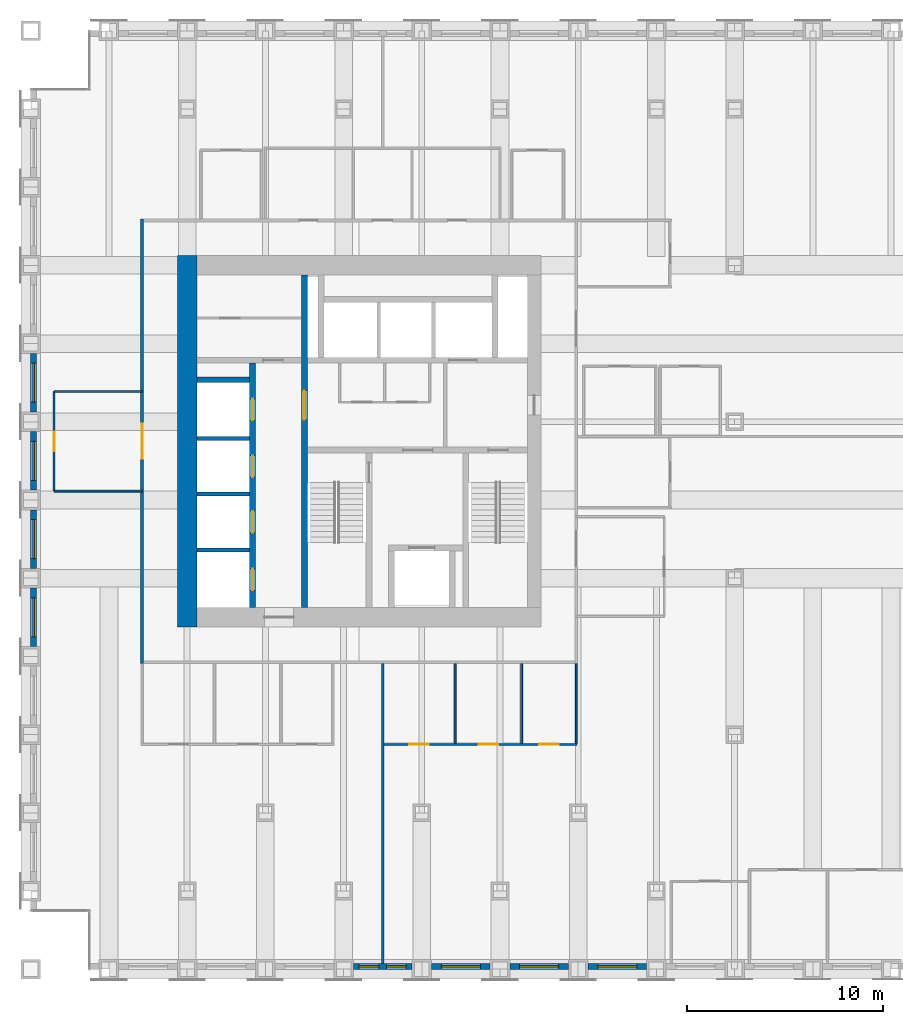
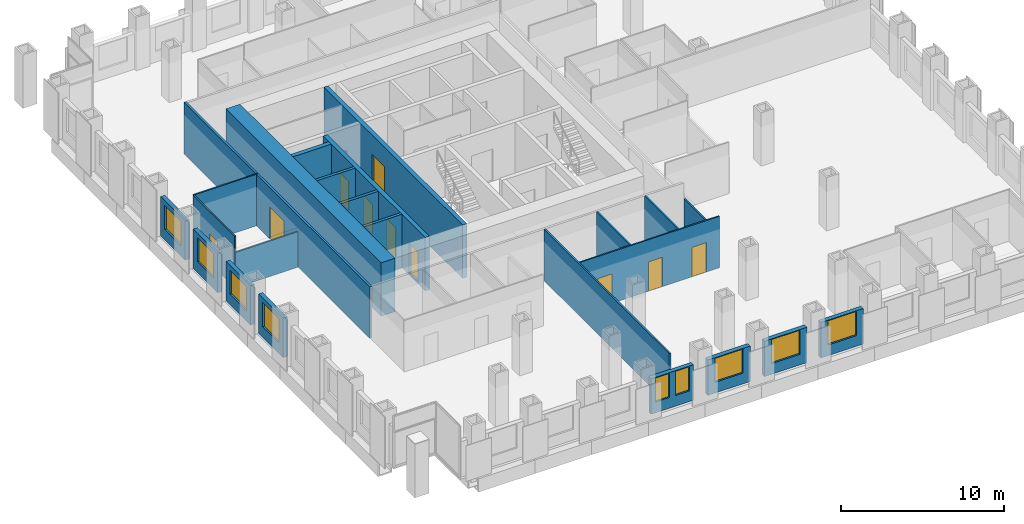
# One storey, part 11 of 17: 24 walls, 10 doors, 9 windows, 19 openings.
"""IFC4 building model written with IfcOpenShell, lengths in metres."""

from ifc_helpers import new_model, si_unit, direction, frame, frame_2d, origin, place, context, subcontext, project, spatial, rectangle, extrude, material, layer, layer_set, type_object, element, fill, save


model = new_model("IFC4")

# Units and contexts
model_context = context("Model", 3, precision=1e-05, world=origin(), true_north=direction((0.0, 1.0)))
body_context = subcontext(model_context, "Body", "Model", "MODEL_VIEW")
ifc_project = project(units=[si_unit("LENGTHUNIT", "METRE"), si_unit("AREAUNIT", "SQUARE_METRE"), si_unit("VOLUMEUNIT", "CUBIC_METRE"), si_unit("PLANEANGLEUNIT", "RADIAN"), si_unit("MASSUNIT", "GRAM", prefix="KILO")], contexts=[model_context])

# Site, building, storey
site_placement = place(None, origin())
site = spatial("IfcSite", under=ifc_project, at=site_placement, CompositionType="ELEMENT")
building_placement = place(site_placement, origin())
building = spatial("IfcBuilding", under=site, at=building_placement, Name="Rimbunsela Tower", CompositionType="ELEMENT")
storey_placement = place(building_placement, frame((0.0, 0.0, 101.39990234375)))
storey = spatial("IfcBuildingStorey", under=building, at=storey_placement, Name="L24", CompositionType="ELEMENT", Elevation=101.39990234375)

# Wall, opening, door
ifc_material_1 = material(Name="Concrete fc' 80 MPa", Category="concrete")
ifc_layer_1 = layer(ifc_material_1, 0.300048828125)
ifc_layer_set_1 = layer_set([ifc_layer_1], Name="Core internal wall 300")
wall_type_1 = type_object("IfcWallType", Name="Core internal wall 300", PredefinedType="SHEAR", material=ifc_layer_set_1)
wall_1_placement = place(storey_placement, frame((24.0, 18.5, -0.14990234375), z_axis=(0.0, 0.0, 1.0), x_axis=(0.0, 1.0, 0.0)))
wall_1 = element("IfcWall", 1, at=wall_1_placement, inside=storey, type_object=wall_type_1, Name="Core wall at stair A", PredefinedType="SHEAR", context=body_context, shape_type="SweptSolid", body=[
    extrude(rectangle(XDim=17.0, YDim=0.300048828125, at=frame_2d((8.5, 0.0))), origin(), (0.0, 0.0, 1.0), 4.0),
])
opening_1_placement = place(wall_1_placement, frame((9.60009765625, 0.0, 0.14990234375)))
opening_1 = element("IfcOpeningElement", 2, at=opening_1_placement, cuts=wall_1, Name="Opening D03", PredefinedType="OPENING", context=body_context, shape_type="SweptSolid", body=[
    extrude(rectangle(XDim=1.5, YDim=2.39990234375, at=frame_2d((0.75, 1.199951171875))), frame((0.0, 0.159912109375, 0.0), z_axis=(0.0, -1.0, 0.0), x_axis=(1.0, 0.0, 0.0)), (0.0, 0.0, 1.0), 0.320068359375),
])
ifc_material_2 = material(Name="Steel door, fire rated", Category="steel")
door_type_1 = type_object("IfcDoorType", Name="Core lobby door 1500", OperationType="DOUBLE_DOOR_DOUBLE_SWING", PredefinedType="DOOR", material=ifc_material_2)
door_1_placement = place(opening_1_placement, origin())
door_1 = element("IfcDoor", 3, at=door_1_placement, inside=storey, type_object=door_type_1, Name="West lobby door", OperationType="DOUBLE_DOOR_DOUBLE_SWING", OverallHeight=2.39990234375, OverallWidth=1.5, PredefinedType="DOOR", context=body_context, shape_type="SweptSolid", body=[
    extrude(rectangle(XDim=1.5, YDim=2.39990234375, at=frame_2d((0.75, 1.199951171875))), frame((0.0, 0.02490234375, 0.0), z_axis=(0.0, -1.0, 0.0), x_axis=(1.0, 0.0, 0.0)), (0.0, 0.0, 1.0), 0.050048828125),
])
fill(opening_1, door_1)

# Wall, openings, doors
wall_2_placement = place(storey_placement, frame((21.35009765625, 18.5, -0.14990234375), z_axis=(0.0, 0.0, 1.0), x_axis=(0.0, 1.0, 0.0)))
wall_2 = element("IfcWall", 4, at=wall_2_placement, inside=storey, type_object=wall_type_1, Name="Lift shaft front west", PredefinedType="SHEAR", context=body_context, shape_type="SweptSolid", body=[
    extrude(rectangle(XDim=12.5, YDim=0.300048828125, at=frame_2d((6.25, 0.0))), origin(), (0.0, 0.0, 1.0), 4.0),
])
opening_2_placement = place(wall_2_placement, frame((0.875, 0.0, 0.14990234375)))
opening_2 = element("IfcOpeningElement", 5, at=opening_2_placement, cuts=wall_2, Name="Opening LD1", PredefinedType="OPENING", context=body_context, shape_type="SweptSolid", body=[
    extrude(rectangle(XDim=1.10009765625, YDim=2.199951171875, at=frame_2d((0.550048828125, 1.10009765625))), frame((0.0, 0.159912109375, 0.0), z_axis=(0.0, -1.0, 0.0), x_axis=(1.0, 0.0, 0.0)), (0.0, 0.0, 1.0), 0.320068359375),
])
opening_3_placement = place(wall_2_placement, frame((3.824951171875, 0.0, 0.14990234375)))
opening_3 = element("IfcOpeningElement", 6, at=opening_3_placement, cuts=wall_2, Name="Opening LD1", PredefinedType="OPENING", context=body_context, shape_type="SweptSolid", body=[
    extrude(rectangle(XDim=1.10009765625, YDim=2.199951171875, at=frame_2d((0.550048828125, 1.10009765625))), frame((0.0, 0.159912109375, 0.0), z_axis=(0.0, -1.0, 0.0), x_axis=(1.0, 0.0, 0.0)), (0.0, 0.0, 1.0), 0.320068359375),
])
opening_4_placement = place(wall_2_placement, frame((6.675048828125, 0.0, 0.14990234375)))
opening_4 = element("IfcOpeningElement", 7, at=opening_4_placement, cuts=wall_2, Name="Opening LD1", PredefinedType="OPENING", context=body_context, shape_type="SweptSolid", body=[
    extrude(rectangle(XDim=1.10009765625, YDim=2.199951171875, at=frame_2d((0.550048828125, 1.10009765625))), frame((0.0, 0.159912109375, 0.0), z_axis=(0.0, -1.0, 0.0), x_axis=(1.0, 0.0, 0.0)), (0.0, 0.0, 1.0), 0.320068359375),
])
opening_5_placement = place(wall_2_placement, frame((9.574951171875, 0.0, 0.14990234375)))
opening_5 = element("IfcOpeningElement", 8, at=opening_5_placement, cuts=wall_2, Name="Opening LD1", PredefinedType="OPENING", context=body_context, shape_type="SweptSolid", body=[
    extrude(rectangle(XDim=1.10009765625, YDim=2.199951171875, at=frame_2d((0.550048828125, 1.10009765625))), frame((0.0, 0.159912109375, 0.0), z_axis=(0.0, -1.0, 0.0), x_axis=(1.0, 0.0, 0.0)), (0.0, 0.0, 1.0), 0.320068359375),
])
ifc_material_3 = material(Name="Steel door, fire rated", Category="steel")
door_type_2 = type_object("IfcDoorType", Name="Lift landing door 1100", OperationType="DOUBLE_DOOR_SLIDING", PredefinedType="DOOR", material=ifc_material_3)
door_2_placement = place(opening_2_placement, origin())
door_2 = element("IfcDoor", 9, at=door_2_placement, inside=storey, type_object=door_type_2, Name="Lift landing door ML1", OperationType="DOUBLE_DOOR_SLIDING", OverallHeight=2.199951171875, OverallWidth=1.10009765625, PredefinedType="DOOR", context=body_context, shape_type="SweptSolid", body=[
    extrude(rectangle(XDim=1.10009765625, YDim=2.199951171875, at=frame_2d((0.550048828125, 1.10009765625))), frame((0.0, 0.02490234375, 0.0), z_axis=(0.0, -1.0, 0.0), x_axis=(1.0, 0.0, 0.0)), (0.0, 0.0, 1.0), 0.050048828125),
])
fill(opening_2, door_2)
door_3_placement = place(opening_3_placement, origin())
door_3 = element("IfcDoor", 10, at=door_3_placement, inside=storey, type_object=door_type_2, Name="Lift landing door ML2", OperationType="DOUBLE_DOOR_SLIDING", OverallHeight=2.199951171875, OverallWidth=1.10009765625, PredefinedType="DOOR", context=body_context, shape_type="SweptSolid", body=[
    extrude(rectangle(XDim=1.10009765625, YDim=2.199951171875, at=frame_2d((0.550048828125, 1.10009765625))), frame((0.0, 0.02490234375, 0.0), z_axis=(0.0, -1.0, 0.0), x_axis=(1.0, 0.0, 0.0)), (0.0, 0.0, 1.0), 0.050048828125),
])
fill(opening_3, door_3)
door_4_placement = place(opening_4_placement, origin())
door_4 = element("IfcDoor", 11, at=door_4_placement, inside=storey, type_object=door_type_2, Name="Lift landing door ML3", OperationType="DOUBLE_DOOR_SLIDING", OverallHeight=2.199951171875, OverallWidth=1.10009765625, PredefinedType="DOOR", context=body_context, shape_type="SweptSolid", body=[
    extrude(rectangle(XDim=1.10009765625, YDim=2.199951171875, at=frame_2d((0.550048828125, 1.10009765625))), frame((0.0, 0.02490234375, 0.0), z_axis=(0.0, -1.0, 0.0), x_axis=(1.0, 0.0, 0.0)), (0.0, 0.0, 1.0), 0.050048828125),
])
fill(opening_4, door_4)
door_5_placement = place(opening_5_placement, origin())
door_5 = element("IfcDoor", 12, at=door_5_placement, inside=storey, type_object=door_type_2, Name="Lift landing door ML4", OperationType="DOUBLE_DOOR_SLIDING", OverallHeight=2.199951171875, OverallWidth=1.10009765625, PredefinedType="DOOR", context=body_context, shape_type="SweptSolid", body=[
    extrude(rectangle(XDim=1.10009765625, YDim=2.199951171875, at=frame_2d((0.550048828125, 1.10009765625))), frame((0.0, 0.02490234375, 0.0), z_axis=(0.0, -1.0, 0.0), x_axis=(1.0, 0.0, 0.0)), (0.0, 0.0, 1.0), 0.050048828125),
])
fill(opening_5, door_5)

# Walls
wall_3_placement = place(storey_placement, frame((18.5, 30.14990234375, -0.14990234375), z_axis=(0.0, 0.0, 1.0), x_axis=(1.0, 0.0, 0.0)))
element("IfcWall", 13, at=wall_3_placement, inside=storey, type_object=wall_type_1, Name="Lift shaft rear west", PredefinedType="SHEAR", context=body_context, shape_type="SweptSolid", body=[
    extrude(rectangle(XDim=2.699951171875, YDim=0.300048828125, at=frame_2d((1.35009765625, 0.0))), origin(), (0.0, 0.0, 1.0), 4.0),
])
ifc_material_4 = material(Name="Concrete fc' 80 MPa", Category="concrete")
ifc_layer_2 = layer(ifc_material_4, 1.0)
ifc_layer_set_2 = layer_set([ifc_layer_2], Name="Core wall 1000")
wall_type_2 = type_object("IfcWallType", Name="Core wall 1000", PredefinedType="SHEAR", material=ifc_layer_set_2)
wall_4_placement = place(storey_placement, frame((18.0, 17.5, -0.14990234375), z_axis=(0.0, 0.0, 1.0), x_axis=(0.0, 1.0, 0.0)))
element("IfcWall", 14, at=wall_4_placement, inside=storey, type_object=wall_type_2, Name="Core wall west", PredefinedType="SHEAR", context=body_context, shape_type="SweptSolid", body=[
    extrude(rectangle(XDim=19.0, YDim=1.0, at=frame_2d((9.5, 0.0))), origin(), (0.0, 0.0, 1.0), 4.0),
])
ifc_material_5 = material(Name="Concrete blockwork", Category="masonry")
ifc_layer_3 = layer(ifc_material_5, 0.199951171875)
ifc_layer_set_3 = layer_set([ifc_layer_3], Name="Lift shaft wall 200")
wall_type_3 = type_object("IfcWallType", Name="Lift shaft wall 200", PredefinedType="SOLIDWALL", material=ifc_layer_set_3)
for number, where, z_axis, x_axis, name in (
    (15, (18.5, 21.449951171875, -0.14990234375), (0.0, 0.0, 1.0), (1.0, 0.0, 0.0), "Lift shaft separation"),
    (16, (18.5, 24.300048828125, -0.14990234375), (0.0, 0.0, 1.0), (1.0, 0.0, 0.0), "Lift shaft separation"),
    (17, (18.5, 27.14990234375, -0.14990234375), (0.0, 0.0, 1.0), (1.0, 0.0, 0.0), "Lift shaft separation"),
):
    element("IfcWall", number, at=place(storey_placement, frame(where, z_axis=z_axis, x_axis=x_axis)), inside=storey, type_object=wall_type_3, Name=name, PredefinedType="SOLIDWALL", context=body_context, shape_type="SweptSolid", body=[
        extrude(rectangle(XDim=2.699951171875, YDim=0.199951171875, at=frame_2d((1.35009765625, 0.0))), origin(), (0.0, 0.0, 1.0), 4.0),
    ])

# Wall, openings, doors
ifc_material_6 = material(Name="Gypsum board on steel studs", Category="steel")
ifc_layer_4 = layer(ifc_material_6, 0.10009765625)
ifc_layer_set_4 = layer_set([ifc_layer_4], Name="Office partition 100")
wall_type_4 = type_object("IfcWallType", Name="Office partition 100", PredefinedType="PARTITIONING", material=ifc_layer_set_4)
wall_5_placement = place(storey_placement, frame((28.06103515625, 11.5, 0.0), z_axis=(0.0, 0.0, 1.0), x_axis=(1.0, 0.0, 0.0)))
wall_5 = element("IfcWall", 18, at=wall_5_placement, inside=storey, type_object=wall_type_4, Name="Office partition", PredefinedType="PARTITIONING", context=body_context, shape_type="SweptSolid", body=[
    extrude(rectangle(XDim=9.888916015625, YDim=0.10009765625, at=frame_2d((4.9443359375, 0.0))), origin(), (0.0, 0.0, 1.0), 3.85009765625),
])
opening_6_placement = place(wall_5_placement, frame((1.2900390625, 0.0, 0.0)))
opening_6 = element("IfcOpeningElement", 19, at=opening_6_placement, cuts=wall_5, Name="Opening D17", PredefinedType="OPENING", context=body_context, shape_type="SweptSolid", body=[
    extrude(rectangle(XDim=1.0, YDim=2.199951171875, at=frame_2d((0.5, 1.10009765625))), frame((0.0, 0.06005859375, 0.0), z_axis=(0.0, -1.0, 0.0), x_axis=(1.0, 0.0, 0.0)), (0.0, 0.0, 1.0), 0.1201171875),
])
opening_7_placement = place(wall_5_placement, frame((4.840087890625, 0.0, 0.0)))
opening_7 = element("IfcOpeningElement", 20, at=opening_7_placement, cuts=wall_5, Name="Opening D16", PredefinedType="OPENING", context=body_context, shape_type="SweptSolid", body=[
    extrude(rectangle(XDim=1.0, YDim=2.199951171875, at=frame_2d((0.5, 1.10009765625))), frame((0.0, 0.06005859375, 0.0), z_axis=(0.0, -1.0, 0.0), x_axis=(1.0, 0.0, 0.0)), (0.0, 0.0, 1.0), 0.1201171875),
])
opening_8_placement = place(wall_5_placement, frame((7.939453125, 0.0, 0.0)))
opening_8 = element("IfcOpeningElement", 21, at=opening_8_placement, cuts=wall_5, Name="Opening D16", PredefinedType="OPENING", context=body_context, shape_type="SweptSolid", body=[
    extrude(rectangle(XDim=1.0, YDim=2.199951171875, at=frame_2d((0.5, 1.10009765625))), frame((0.0, 0.06005859375, 0.0), z_axis=(0.0, -1.0, 0.0), x_axis=(1.0, 0.0, 0.0)), (0.0, 0.0, 1.0), 0.1201171875),
])
ifc_material_7 = material(Name="Glazed aluminium door", Category="aluminium")
door_type_3 = type_object("IfcDoorType", Name="Meeting room door 1000 glazed", OperationType="SINGLE_SWING_RIGHT", PredefinedType="DOOR", material=ifc_material_7)
door_6_placement = place(opening_6_placement, origin())
door_6 = element("IfcDoor", 22, at=door_6_placement, inside=storey, type_object=door_type_3, Name="Meeting room door", OperationType="SINGLE_SWING_RIGHT", OverallHeight=2.199951171875, OverallWidth=1.0, PredefinedType="DOOR", context=body_context, shape_type="SweptSolid", body=[
    extrude(rectangle(XDim=1.0, YDim=2.199951171875, at=frame_2d((0.5, 1.10009765625))), frame((0.0, 0.02490234375, 0.0), z_axis=(0.0, -1.0, 0.0), x_axis=(1.0, 0.0, 0.0)), (0.0, 0.0, 1.0), 0.050048828125),
])
fill(opening_6, door_6)
ifc_material_8 = material(Name="Timber door", Category="wood")
door_type_4 = type_object("IfcDoorType", Name="Office door 1000", OperationType="SINGLE_SWING_LEFT", PredefinedType="DOOR", material=ifc_material_8)
door_7_placement = place(opening_7_placement, origin())
door_7 = element("IfcDoor", 23, at=door_7_placement, inside=storey, type_object=door_type_4, Name="Office door", OperationType="SINGLE_SWING_LEFT", OverallHeight=2.199951171875, OverallWidth=1.0, PredefinedType="DOOR", context=body_context, shape_type="SweptSolid", body=[
    extrude(rectangle(XDim=1.0, YDim=2.199951171875, at=frame_2d((0.5, 1.10009765625))), frame((0.0, 0.02490234375, 0.0), z_axis=(0.0, -1.0, 0.0), x_axis=(1.0, 0.0, 0.0)), (0.0, 0.0, 1.0), 0.050048828125),
])
fill(opening_7, door_7)
door_8_placement = place(opening_8_placement, origin())
door_8 = element("IfcDoor", 24, at=door_8_placement, inside=storey, type_object=door_type_4, Name="Office door", OperationType="SINGLE_SWING_LEFT", OverallHeight=2.199951171875, OverallWidth=1.0, PredefinedType="DOOR", context=body_context, shape_type="SweptSolid", body=[
    extrude(rectangle(XDim=1.0, YDim=2.199951171875, at=frame_2d((0.5, 1.10009765625))), frame((0.0, 0.02490234375, 0.0), z_axis=(0.0, -1.0, 0.0), x_axis=(1.0, 0.0, 0.0)), (0.0, 0.0, 1.0), 0.050048828125),
])
fill(opening_8, door_8)

# Walls
for number, where, z_axis, x_axis, name in (
    (25, (31.700927734375, 11.550048828125, 0.0), (0.0, 0.0, 1.0), (0.0, 1.0, 0.0), "Office partition"),
    (26, (35.10107421875, 11.550048828125, 0.0), (0.0, 0.0, 1.0), (0.0, 1.0, 0.0), "Office partition"),
):
    element("IfcWall", number, at=place(storey_placement, frame(where, z_axis=z_axis, x_axis=x_axis)), inside=storey, type_object=wall_type_4, Name=name, PredefinedType="PARTITIONING", context=body_context, shape_type="SweptSolid", body=[
        extrude(rectangle(XDim=4.074951171875, YDim=0.10009765625, at=frame_2d((2.03759765625, 0.0))), origin(), (0.0, 0.0, 1.0), 3.85009765625),
    ])
wall_6_placement = place(storey_placement, frame((37.89990234375, 11.550048828125, 0.0), z_axis=(0.0, 0.0, 1.0), x_axis=(0.0, 1.0, 0.0)))
element("IfcWall", 27, at=wall_6_placement, inside=storey, type_object=wall_type_4, Name="Office partition", PredefinedType="PARTITIONING", context=body_context, shape_type="SweptSolid", body=[
    extrude(rectangle(XDim=4.074951171875, YDim=0.10009765625, at=frame_2d((2.03759765625, 0.0))), origin(), (0.0, 0.0, 1.0), 2.650146484375),
])
wall_7_placement = place(storey_placement, frame((15.699951171875, 29.550048828125, 0.0), z_axis=(0.0, 0.0, 1.0), x_axis=(-1.0, 0.0, 0.0)))
element("IfcWall", 28, at=wall_7_placement, inside=storey, type_object=wall_type_4, Name="Office partition", PredefinedType="PARTITIONING", context=body_context, shape_type="SweptSolid", body=[
    extrude(rectangle(XDim=4.5, YDim=0.10009765625, at=frame_2d((2.25, 0.0))), origin(), (0.0, 0.0, 1.0), 3.85009765625),
])

# Wall, opening, door
wall_8_placement = place(storey_placement, frame((11.199951171875, 29.550048828125, 0.0), z_axis=(0.0, 0.0, 1.0), x_axis=(0.0, -1.0, 0.0)))
wall_8 = element("IfcWall", 29, at=wall_8_placement, inside=storey, type_object=wall_type_4, Name="Office partition", PredefinedType="PARTITIONING", context=body_context, shape_type="SweptSolid", body=[
    extrude(rectangle(XDim=5.10009765625, YDim=0.10009765625, at=frame_2d((2.550048828125, 0.0))), origin(), (0.0, 0.0, 1.0), 3.85009765625),
])
opening_9_placement = place(wall_8_placement, frame((2.050048828125, 0.0, 0.0)))
opening_9 = element("IfcOpeningElement", 30, at=opening_9_placement, cuts=wall_8, Name="Opening D17", PredefinedType="OPENING", context=body_context, shape_type="SweptSolid", body=[
    extrude(rectangle(XDim=1.0, YDim=2.199951171875, at=frame_2d((0.5, 1.10009765625))), frame((0.0, 0.06005859375, 0.0), z_axis=(0.0, -1.0, 0.0), x_axis=(1.0, 0.0, 0.0)), (0.0, 0.0, 1.0), 0.1201171875),
])
door_9_placement = place(opening_9_placement, origin())
door_9 = element("IfcDoor", 31, at=door_9_placement, inside=storey, type_object=door_type_3, Name="Reception door", OperationType="SINGLE_SWING_RIGHT", OverallHeight=2.199951171875, OverallWidth=1.0, PredefinedType="DOOR", context=body_context, shape_type="SweptSolid", body=[
    extrude(rectangle(XDim=1.0, YDim=2.199951171875, at=frame_2d((0.5, 1.10009765625))), frame((0.0, 0.02490234375, 0.0), z_axis=(0.0, -1.0, 0.0), x_axis=(1.0, 0.0, 0.0)), (0.0, 0.0, 1.0), 0.050048828125),
])
fill(opening_9, door_9)

# Wall
wall_9_placement = place(storey_placement, frame((11.199951171875, 24.449951171875, 0.0), z_axis=(0.0, 0.0, 1.0), x_axis=(1.0, 0.0, 0.0)))
element("IfcWall", 32, at=wall_9_placement, inside=storey, type_object=wall_type_4, Name="Office partition", PredefinedType="PARTITIONING", context=body_context, shape_type="SweptSolid", body=[
    extrude(rectangle(XDim=4.5, YDim=0.10009765625, at=frame_2d((2.25, 0.0))), origin(), (0.0, 0.0, 1.0), 2.650146484375),
])

# Wall, openings, windows
ifc_material_9 = material(Name="Precast concrete fc' 35 MPa", Category="concrete")
ifc_layer_5 = layer(ifc_material_9, 0.300048828125)
ifc_layer_set_5 = layer_set([ifc_layer_5], Name="Precast concrete fc' 35 MPa")
wall_type_5 = type_object("IfcWallType", Name="Precast facade panel 300", PredefinedType="ELEMENTEDWALL", material=ifc_layer_set_5)
wall_10_placement = place(storey_placement, frame((26.5, 0.14990234375, 0.0), z_axis=(0.0, 0.0, 1.0), x_axis=(1.0, 0.0, 0.0)))
wall_10 = element("IfcWall", 33, at=wall_10_placement, inside=storey, type_object=wall_type_5, Name="Facade panel S L24", PredefinedType="ELEMENTEDWALL", context=body_context, shape_type="SweptSolid", body=[
    extrude(rectangle(XDim=3.0, YDim=0.300048828125, at=frame_2d((1.5, 0.0))), origin(), (0.0, 0.0, 1.0), 2.650146484375),
])
opening_10_placement = place(wall_10_placement, frame((0.300048828125, 0.0, 0.800048828125)))
opening_10 = element("IfcOpeningElement", 34, at=opening_10_placement, cuts=wall_10, Name="Opening W8", PredefinedType="OPENING", context=body_context, shape_type="SweptSolid", body=[
    extrude(rectangle(XDim=1.0, YDim=1.800048828125, at=frame_2d((0.5, 0.89990234375))), frame((0.0, 0.159912109375, 0.0), z_axis=(0.0, -1.0, 0.0), x_axis=(1.0, 0.0, 0.0)), (0.0, 0.0, 1.0), 0.320068359375),
])
opening_11_placement = place(wall_10_placement, frame((1.699951171875, 0.0, 0.800048828125)))
opening_11 = element("IfcOpeningElement", 35, at=opening_11_placement, cuts=wall_10, Name="Opening W8", PredefinedType="OPENING", context=body_context, shape_type="SweptSolid", body=[
    extrude(rectangle(XDim=1.0, YDim=1.800048828125, at=frame_2d((0.5, 0.89990234375))), frame((0.0, 0.159912109375, 0.0), z_axis=(0.0, -1.0, 0.0), x_axis=(1.0, 0.0, 0.0)), (0.0, 0.0, 1.0), 0.320068359375),
])
ifc_material_10 = material(Name="Clear glass in aluminium frame", Category="aluminium")
window_type_1 = type_object("IfcWindowType", Name="Window W8 1000x1800", PartitioningType="SINGLE_PANEL", PredefinedType="WINDOW", material=ifc_material_10)
window_1_placement = place(opening_10_placement, origin())
window_1 = element("IfcWindow", 36, at=window_1_placement, inside=storey, type_object=window_type_1, Name="Window L24", OverallHeight=1.800048828125, OverallWidth=1.0, PartitioningType="SINGLE_PANEL", PredefinedType="WINDOW", context=body_context, shape_type="SweptSolid", body=[
    extrude(rectangle(XDim=1.0, YDim=1.800048828125, at=frame_2d((0.5, 0.89990234375))), frame((0.0, 0.030029296875, 0.0), z_axis=(0.0, -1.0, 0.0), x_axis=(1.0, 0.0, 0.0)), (0.0, 0.0, 1.0), 0.06005859375),
])
fill(opening_10, window_1)
window_2_placement = place(opening_11_placement, origin())
window_2 = element("IfcWindow", 37, at=window_2_placement, inside=storey, type_object=window_type_1, Name="Window L24", OverallHeight=1.800048828125, OverallWidth=1.0, PartitioningType="SINGLE_PANEL", PredefinedType="WINDOW", context=body_context, shape_type="SweptSolid", body=[
    extrude(rectangle(XDim=1.0, YDim=1.800048828125, at=frame_2d((0.5, 0.89990234375))), frame((0.0, 0.030029296875, 0.0), z_axis=(0.0, -1.0, 0.0), x_axis=(1.0, 0.0, 0.0)), (0.0, 0.0, 1.0), 0.06005859375),
])
fill(opening_11, window_2)

# Wall, opening, window
wall_11_placement = place(storey_placement, frame((30.5, 0.14990234375, 0.0), z_axis=(0.0, 0.0, 1.0), x_axis=(1.0, 0.0, 0.0)))
wall_11 = element("IfcWall", 38, at=wall_11_placement, inside=storey, type_object=wall_type_5, Name="Facade panel S L24", PredefinedType="ELEMENTEDWALL", context=body_context, shape_type="SweptSolid", body=[
    extrude(rectangle(XDim=3.0, YDim=0.300048828125, at=frame_2d((1.5, 0.0))), origin(), (0.0, 0.0, 1.0), 2.650146484375),
])
opening_12_placement = place(wall_11_placement, frame((0.5, 0.0, 0.800048828125)))
opening_12 = element("IfcOpeningElement", 39, at=opening_12_placement, cuts=wall_11, Name="Opening W7", PredefinedType="OPENING", context=body_context, shape_type="SweptSolid", body=[
    extrude(rectangle(XDim=2.0, YDim=1.800048828125, at=frame_2d((1.0, 0.89990234375))), frame((0.0, 0.159912109375, 0.0), z_axis=(0.0, -1.0, 0.0), x_axis=(1.0, 0.0, 0.0)), (0.0, 0.0, 1.0), 0.320068359375),
])
ifc_material_11 = material(Name="Clear glass in aluminium frame", Category="aluminium")
window_type_2 = type_object("IfcWindowType", Name="Window W7 2000x1800", PartitioningType="DOUBLE_PANEL_VERTICAL", PredefinedType="WINDOW", material=ifc_material_11)
window_3_placement = place(opening_12_placement, origin())
window_3 = element("IfcWindow", 40, at=window_3_placement, inside=storey, type_object=window_type_2, Name="Window L24", OverallHeight=1.800048828125, OverallWidth=2.0, PartitioningType="SINGLE_PANEL", PredefinedType="WINDOW", context=body_context, shape_type="SweptSolid", body=[
    extrude(rectangle(XDim=2.0, YDim=1.800048828125, at=frame_2d((1.0, 0.89990234375))), frame((0.0, 0.030029296875, 0.0), z_axis=(0.0, -1.0, 0.0), x_axis=(1.0, 0.0, 0.0)), (0.0, 0.0, 1.0), 0.06005859375),
])
fill(opening_12, window_3)

wall_12_placement = place(storey_placement, frame((34.5, 0.14990234375, 0.0), z_axis=(0.0, 0.0, 1.0), x_axis=(1.0, 0.0, 0.0)))
wall_12 = element("IfcWall", 41, at=wall_12_placement, inside=storey, type_object=wall_type_5, Name="Facade panel S L24", PredefinedType="ELEMENTEDWALL", context=body_context, shape_type="SweptSolid", body=[
    extrude(rectangle(XDim=3.0, YDim=0.300048828125, at=frame_2d((1.5, 0.0))), origin(), (0.0, 0.0, 1.0), 2.650146484375),
])
opening_13_placement = place(wall_12_placement, frame((0.5, 0.0, 0.800048828125)))
opening_13 = element("IfcOpeningElement", 42, at=opening_13_placement, cuts=wall_12, Name="Opening W7", PredefinedType="OPENING", context=body_context, shape_type="SweptSolid", body=[
    extrude(rectangle(XDim=2.0, YDim=1.800048828125, at=frame_2d((1.0, 0.89990234375))), frame((0.0, 0.159912109375, 0.0), z_axis=(0.0, -1.0, 0.0), x_axis=(1.0, 0.0, 0.0)), (0.0, 0.0, 1.0), 0.320068359375),
])
window_4_placement = place(opening_13_placement, origin())
window_4 = element("IfcWindow", 43, at=window_4_placement, inside=storey, type_object=window_type_2, Name="Window L24", OverallHeight=1.800048828125, OverallWidth=2.0, PartitioningType="SINGLE_PANEL", PredefinedType="WINDOW", context=body_context, shape_type="SweptSolid", body=[
    extrude(rectangle(XDim=2.0, YDim=1.800048828125, at=frame_2d((1.0, 0.89990234375))), frame((0.0, 0.030029296875, 0.0), z_axis=(0.0, -1.0, 0.0), x_axis=(1.0, 0.0, 0.0)), (0.0, 0.0, 1.0), 0.06005859375),
])
fill(opening_13, window_4)

wall_13_placement = place(storey_placement, frame((38.5, 0.14990234375, 0.0), z_axis=(0.0, 0.0, 1.0), x_axis=(1.0, 0.0, 0.0)))
wall_13 = element("IfcWall", 44, at=wall_13_placement, inside=storey, type_object=wall_type_5, Name="Facade panel S L24", PredefinedType="ELEMENTEDWALL", context=body_context, shape_type="SweptSolid", body=[
    extrude(rectangle(XDim=3.0, YDim=0.300048828125, at=frame_2d((1.5, 0.0))), origin(), (0.0, 0.0, 1.0), 2.650146484375),
])
opening_14_placement = place(wall_13_placement, frame((0.5, 0.0, 0.800048828125)))
opening_14 = element("IfcOpeningElement", 45, at=opening_14_placement, cuts=wall_13, Name="Opening W7", PredefinedType="OPENING", context=body_context, shape_type="SweptSolid", body=[
    extrude(rectangle(XDim=2.0, YDim=1.800048828125, at=frame_2d((1.0, 0.89990234375))), frame((0.0, 0.159912109375, 0.0), z_axis=(0.0, -1.0, 0.0), x_axis=(1.0, 0.0, 0.0)), (0.0, 0.0, 1.0), 0.320068359375),
])
window_5_placement = place(opening_14_placement, origin())
window_5 = element("IfcWindow", 46, at=window_5_placement, inside=storey, type_object=window_type_2, Name="Window L24", OverallHeight=1.800048828125, OverallWidth=2.0, PartitioningType="SINGLE_PANEL", PredefinedType="WINDOW", context=body_context, shape_type="SweptSolid", body=[
    extrude(rectangle(XDim=2.0, YDim=1.800048828125, at=frame_2d((1.0, 0.89990234375))), frame((0.0, 0.030029296875, 0.0), z_axis=(0.0, -1.0, 0.0), x_axis=(1.0, 0.0, 0.0)), (0.0, 0.0, 1.0), 0.06005859375),
])
fill(opening_14, window_5)

wall_14_placement = place(storey_placement, frame((10.14990234375, 19.5, 0.0), z_axis=(0.0, 0.0, 1.0), x_axis=(0.0, -1.0, 0.0)))
wall_14 = element("IfcWall", 47, at=wall_14_placement, inside=storey, type_object=wall_type_5, Name="Facade panel W L24", PredefinedType="ELEMENTEDWALL", context=body_context, shape_type="SweptSolid", body=[
    extrude(rectangle(XDim=3.0, YDim=0.300048828125, at=frame_2d((1.5, 0.0))), origin(), (0.0, 0.0, 1.0), 2.9501953125),
])
opening_15_placement = place(wall_14_placement, frame((0.5, 0.0, 0.800048828125)))
opening_15 = element("IfcOpeningElement", 48, at=opening_15_placement, cuts=wall_14, Name="Opening W7", PredefinedType="OPENING", context=body_context, shape_type="SweptSolid", body=[
    extrude(rectangle(XDim=2.0, YDim=1.800048828125, at=frame_2d((1.0, 0.89990234375))), frame((0.0, 0.159912109375, 0.0), z_axis=(0.0, -1.0, 0.0), x_axis=(1.0, 0.0, 0.0)), (0.0, 0.0, 1.0), 0.320068359375),
])
window_6_placement = place(opening_15_placement, origin())
window_6 = element("IfcWindow", 49, at=window_6_placement, inside=storey, type_object=window_type_2, Name="Window L24", OverallHeight=1.800048828125, OverallWidth=2.0, PartitioningType="SINGLE_PANEL", PredefinedType="WINDOW", context=body_context, shape_type="SweptSolid", body=[
    extrude(rectangle(XDim=2.0, YDim=1.800048828125, at=frame_2d((1.0, 0.89990234375))), frame((0.0, 0.030029296875, 0.0), z_axis=(0.0, -1.0, 0.0), x_axis=(1.0, 0.0, 0.0)), (0.0, 0.0, 1.0), 0.06005859375),
])
fill(opening_15, window_6)

wall_15_placement = place(storey_placement, frame((10.14990234375, 23.5, 0.0), z_axis=(0.0, 0.0, 1.0), x_axis=(0.0, -1.0, 0.0)))
wall_15 = element("IfcWall", 50, at=wall_15_placement, inside=storey, type_object=wall_type_5, Name="Facade panel W L24", PredefinedType="ELEMENTEDWALL", context=body_context, shape_type="SweptSolid", body=[
    extrude(rectangle(XDim=3.0, YDim=0.300048828125, at=frame_2d((1.5, 0.0))), origin(), (0.0, 0.0, 1.0), 2.9501953125),
])
opening_16_placement = place(wall_15_placement, frame((0.5, 0.0, 0.800048828125)))
opening_16 = element("IfcOpeningElement", 51, at=opening_16_placement, cuts=wall_15, Name="Opening W7", PredefinedType="OPENING", context=body_context, shape_type="SweptSolid", body=[
    extrude(rectangle(XDim=2.0, YDim=1.800048828125, at=frame_2d((1.0, 0.89990234375))), frame((0.0, 0.159912109375, 0.0), z_axis=(0.0, -1.0, 0.0), x_axis=(1.0, 0.0, 0.0)), (0.0, 0.0, 1.0), 0.320068359375),
])
window_7_placement = place(opening_16_placement, origin())
window_7 = element("IfcWindow", 52, at=window_7_placement, inside=storey, type_object=window_type_2, Name="Window L24", OverallHeight=1.800048828125, OverallWidth=2.0, PartitioningType="SINGLE_PANEL", PredefinedType="WINDOW", context=body_context, shape_type="SweptSolid", body=[
    extrude(rectangle(XDim=2.0, YDim=1.800048828125, at=frame_2d((1.0, 0.89990234375))), frame((0.0, 0.030029296875, 0.0), z_axis=(0.0, -1.0, 0.0), x_axis=(1.0, 0.0, 0.0)), (0.0, 0.0, 1.0), 0.06005859375),
])
fill(opening_16, window_7)

wall_16_placement = place(storey_placement, frame((10.14990234375, 27.5, 0.0), z_axis=(0.0, 0.0, 1.0), x_axis=(0.0, -1.0, 0.0)))
wall_16 = element("IfcWall", 53, at=wall_16_placement, inside=storey, type_object=wall_type_5, Name="Facade panel W L24", PredefinedType="ELEMENTEDWALL", context=body_context, shape_type="SweptSolid", body=[
    extrude(rectangle(XDim=3.0, YDim=0.300048828125, at=frame_2d((1.5, 0.0))), origin(), (0.0, 0.0, 1.0), 2.9501953125),
])
opening_17_placement = place(wall_16_placement, frame((0.5, 0.0, 0.800048828125)))
opening_17 = element("IfcOpeningElement", 54, at=opening_17_placement, cuts=wall_16, Name="Opening W7", PredefinedType="OPENING", context=body_context, shape_type="SweptSolid", body=[
    extrude(rectangle(XDim=2.0, YDim=1.800048828125, at=frame_2d((1.0, 0.89990234375))), frame((0.0, 0.159912109375, 0.0), z_axis=(0.0, -1.0, 0.0), x_axis=(1.0, 0.0, 0.0)), (0.0, 0.0, 1.0), 0.320068359375),
])
window_8_placement = place(opening_17_placement, origin())
window_8 = element("IfcWindow", 55, at=window_8_placement, inside=storey, type_object=window_type_2, Name="Window L24", OverallHeight=1.800048828125, OverallWidth=2.0, PartitioningType="SINGLE_PANEL", PredefinedType="WINDOW", context=body_context, shape_type="SweptSolid", body=[
    extrude(rectangle(XDim=2.0, YDim=1.800048828125, at=frame_2d((1.0, 0.89990234375))), frame((0.0, 0.030029296875, 0.0), z_axis=(0.0, -1.0, 0.0), x_axis=(1.0, 0.0, 0.0)), (0.0, 0.0, 1.0), 0.06005859375),
])
fill(opening_17, window_8)

wall_17_placement = place(storey_placement, frame((10.14990234375, 31.5, 0.0), z_axis=(0.0, 0.0, 1.0), x_axis=(0.0, -1.0, 0.0)))
wall_17 = element("IfcWall", 56, at=wall_17_placement, inside=storey, type_object=wall_type_5, Name="Facade panel W L24", PredefinedType="ELEMENTEDWALL", context=body_context, shape_type="SweptSolid", body=[
    extrude(rectangle(XDim=3.0, YDim=0.300048828125, at=frame_2d((1.5, 0.0))), origin(), (0.0, 0.0, 1.0), 2.9501953125),
])
opening_18_placement = place(wall_17_placement, frame((0.5, 0.0, 0.800048828125)))
opening_18 = element("IfcOpeningElement", 57, at=opening_18_placement, cuts=wall_17, Name="Opening W7", PredefinedType="OPENING", context=body_context, shape_type="SweptSolid", body=[
    extrude(rectangle(XDim=2.0, YDim=1.800048828125, at=frame_2d((1.0, 0.89990234375))), frame((0.0, 0.159912109375, 0.0), z_axis=(0.0, -1.0, 0.0), x_axis=(1.0, 0.0, 0.0)), (0.0, 0.0, 1.0), 0.320068359375),
])
window_9_placement = place(opening_18_placement, origin())
window_9 = element("IfcWindow", 58, at=window_9_placement, inside=storey, type_object=window_type_2, Name="Window L24", OverallHeight=1.800048828125, OverallWidth=2.0, PartitioningType="SINGLE_PANEL", PredefinedType="WINDOW", context=body_context, shape_type="SweptSolid", body=[
    extrude(rectangle(XDim=2.0, YDim=1.800048828125, at=frame_2d((1.0, 0.89990234375))), frame((0.0, 0.030029296875, 0.0), z_axis=(0.0, -1.0, 0.0), x_axis=(1.0, 0.0, 0.0)), (0.0, 0.0, 1.0), 0.06005859375),
])
fill(opening_18, window_9)

# Wall, opening, door
ifc_material_12 = material(Name="Fire-rated gypsum board on steel studs, EI 60", Category="steel")
ifc_layer_6 = layer(ifc_material_12, 0.14990234375)
ifc_layer_set_6 = layer_set([ifc_layer_6], Name="Rated corridor wall 150")
wall_type_6 = type_object("IfcWallType", Name="Rated corridor wall 150", PredefinedType="PARTITIONING", material=ifc_layer_set_6)
wall_18_placement = place(storey_placement, frame((15.699951171875, 15.625, 0.0), z_axis=(0.0, 0.0, 1.0), x_axis=(0.0, 1.0, 0.0)))
wall_18 = element("IfcWall", 59, at=wall_18_placement, inside=storey, type_object=wall_type_6, Name="Corridor wall west", PredefinedType="PARTITIONING", context=body_context, shape_type="SweptSolid", body=[
    extrude(rectangle(XDim=22.75, YDim=0.14990234375, at=frame_2d((11.375, 0.0))), origin(), (0.0, 0.0, 1.0), 3.85009765625),
])
opening_19_placement = place(wall_18_placement, frame((10.47509765625, 0.0, 0.0)))
opening_19 = element("IfcOpeningElement", 60, at=opening_19_placement, cuts=wall_18, Name="Opening D09", PredefinedType="OPENING", context=body_context, shape_type="SweptSolid", body=[
    extrude(rectangle(XDim=1.800048828125, YDim=2.39990234375, at=frame_2d((0.89990234375, 1.199951171875))), frame((0.0, 0.0849609375, 0.0), z_axis=(0.0, -1.0, 0.0), x_axis=(1.0, 0.0, 0.0)), (0.0, 0.0, 1.0), 0.169921875),
])
ifc_material_13 = material(Name="Glazed aluminium door, fire rated", Category="aluminium")
door_type_5 = type_object("IfcDoorType", Name="Tenancy door 1800 glazed", OperationType="DOUBLE_DOOR_DOUBLE_SWING", PredefinedType="DOOR", material=ifc_material_13)
door_10_placement = place(opening_19_placement, origin())
door_10 = element("IfcDoor", 61, at=door_10_placement, inside=storey, type_object=door_type_5, Name="Tenancy door", OperationType="DOUBLE_DOOR_DOUBLE_SWING", OverallHeight=2.39990234375, OverallWidth=1.800048828125, PredefinedType="DOOR", context=body_context, shape_type="SweptSolid", body=[
    extrude(rectangle(XDim=1.800048828125, YDim=2.39990234375, at=frame_2d((0.89990234375, 1.199951171875))), frame((0.0, 0.02490234375, 0.0), z_axis=(0.0, -1.0, 0.0), x_axis=(1.0, 0.0, 0.0)), (0.0, 0.0, 1.0), 0.050048828125),
])
fill(opening_19, door_10)

# Wall
ifc_material_14 = material(Name="Gypsum board on steel studs", Category="steel")
ifc_layer_7 = layer(ifc_material_14, 0.1201171875)
ifc_layer_set_7 = layer_set([ifc_layer_7], Name="Tenancy partition 120")
wall_type_7 = type_object("IfcWallType", Name="Tenancy partition 120", PredefinedType="PARTITIONING", material=ifc_layer_set_7)
wall_19_placement = place(storey_placement, frame((28.0, 0.300048828125, 0.0), z_axis=(0.0, 0.0, 1.0), x_axis=(0.0, 1.0, 0.0)))
element("IfcWall", 62, at=wall_19_placement, inside=storey, type_object=wall_type_7, Name="Tenancy partition south", PredefinedType="PARTITIONING", context=body_context, shape_type="SweptSolid", body=[
    extrude(rectangle(XDim=15.324951171875, YDim=0.1201171875, at=frame_2d((7.66259765625, 0.0))), origin(), (0.0, 0.0, 1.0), 3.85009765625),
])

save(model, "model.ifc")
